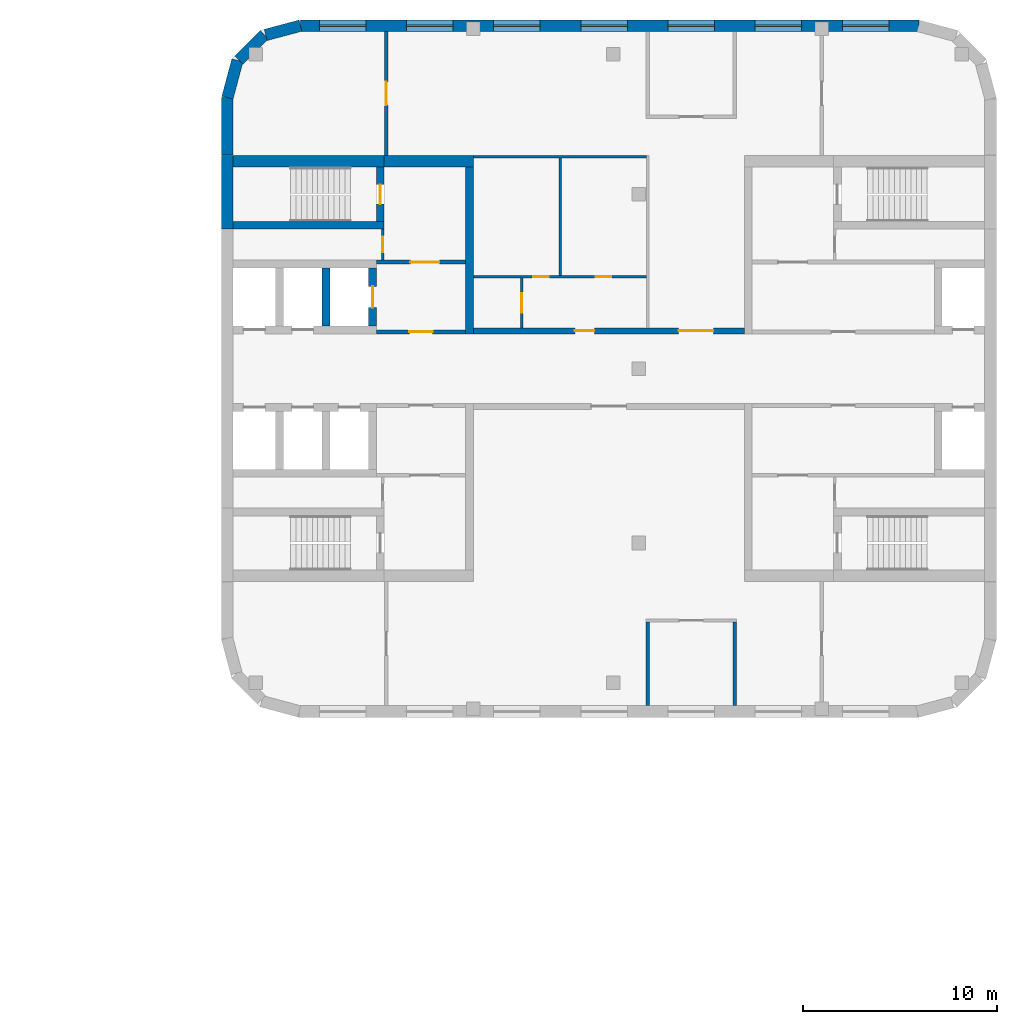
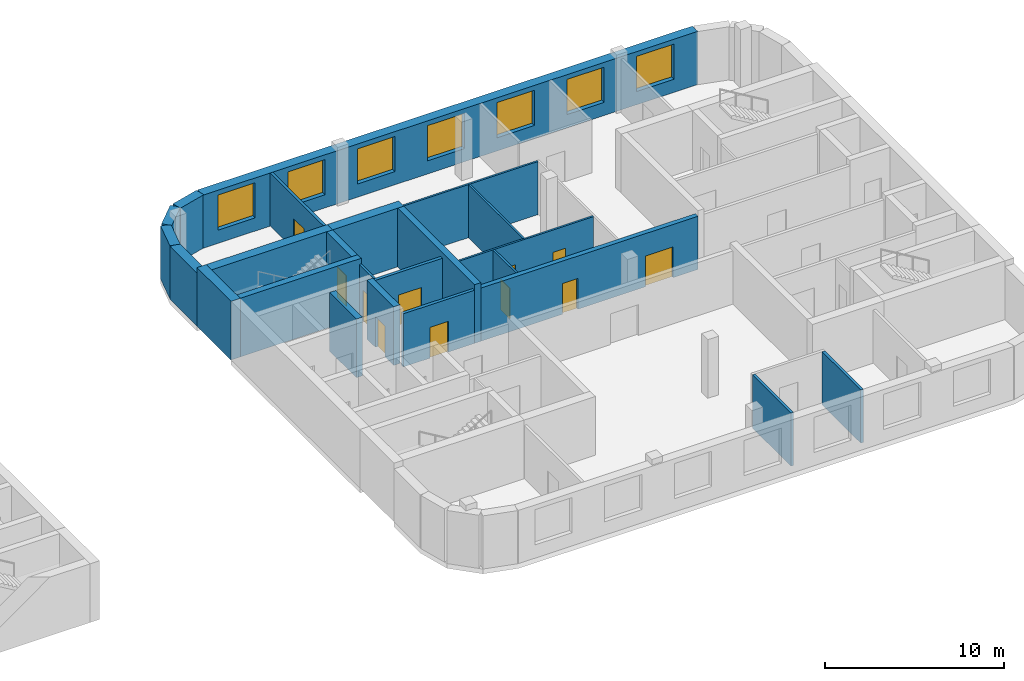
# One storey, part 8 of 12: 24 walls, 11 doors, 7 windows, 18 openings.
"""IFC4 building model written with IfcOpenShell, lengths in metres."""

import ifcopenshell
import ifcopenshell.guid

model = None  # the IFC model being written
_history = None  # IfcOwnerHistory: only IFC2X3 demands one
_inside = {}  # id of a spatial element -> (the spatial element, [elements in it])
_under = {}  # id of a project, library or spatial element -> (it, [spatial elements below it])
_declared = {}  # id of a project -> (the project, [libraries it declares])
_typed = {}  # id of a type object -> (the type object, [elements of that type])
_made_of = {}  # id of a material, layer set ... -> (it, [elements and type objects made of it])


def new_model(schema):
    """Start an empty IFC model of exactly this schema.

    Asked for "IFC4X3", IfcOpenShell would pick the latest addendum, in which some entities
    have other attributes; the version numbers below select the first issue.
    IFC2X3 requires an IfcOwnerHistory on every rooted entity: one is made here for all.
    """
    global model, _history
    if schema == "IFC4X3":
        model = ifcopenshell.file(schema_version=(4, 3, 0, 0))
    else:
        model = ifcopenshell.file(schema=schema)
    _inside.clear()
    _under.clear()
    _declared.clear()
    _typed.clear()
    _made_of.clear()
    _history = None
    if model.schema == "IFC2X3":
        org = make("IfcOrganization", Name="unknown")
        user = make(
            "IfcPersonAndOrganization",
            ThePerson=make("IfcPerson", FamilyName="unknown"),
            TheOrganization=org,
        )
        app = make(
            "IfcApplication",
            ApplicationDeveloper=org,
            Version="unknown",
            ApplicationFullName="unknown",
            ApplicationIdentifier="unknown",
        )
        _history = make(
            "IfcOwnerHistory",
            OwningUser=user,
            OwningApplication=app,
            ChangeAction="ADDED",
            CreationDate=0,
        )
    return model


def make(cls, **values):
    """One entity of the class cls with the attributes given. An attribute that is None is left unset."""
    return model.create_entity(
        cls, **{name: value for name, value in values.items() if value is not None}
    )


def rooted(cls, **values):
    """An entity with a GlobalId (a new one), such as an element, a storey or a relation."""
    return make(cls, GlobalId=ifcopenshell.guid.new(), OwnerHistory=_history, **values)


def si_unit(unit_type, name, prefix=None):
    """IfcSIUnit, for example si_unit("LENGTHUNIT", "METRE", prefix="MILLI")."""
    return make("IfcSIUnit", UnitType=unit_type, Prefix=prefix, Name=name)


def assignment(units):
    """IfcUnitAssignment: the units of a project."""
    return None if units is None else make("IfcUnitAssignment", Units=units)


def point(xyz):
    """IfcCartesianPoint."""
    return None if xyz is None else make("IfcCartesianPoint", Coordinates=xyz)


def direction(xyz):
    """IfcDirection."""
    return None if xyz is None else make("IfcDirection", DirectionRatios=xyz)


def frame(location, z_axis=None, x_axis=None):
    """IfcAxis2Placement3D, a coordinate frame: its origin and axes. An axis left out is left unset."""
    return make(
        "IfcAxis2Placement3D",
        Location=point(location),
        Axis=direction(z_axis),
        RefDirection=direction(x_axis),
    )


def frame_2d(location, x_axis=None):
    """IfcAxis2Placement2D, a coordinate frame in the plane: its origin and x axis."""
    return make(
        "IfcAxis2Placement2D", Location=point(location), RefDirection=direction(x_axis)
    )


def origin():
    """The frame at (0, 0, 0) with its axes left unset."""
    return frame((0.0, 0.0, 0.0))


def place(relative_to, where):
    """IfcLocalPlacement: puts the frame where relative to a parent placement (None: the world)."""
    return make(
        "IfcLocalPlacement", PlacementRelTo=relative_to, RelativePlacement=where
    )


def context(
    kind, dimensions, precision=None, world=None, true_north=None, identifier=None
):
    """IfcGeometricRepresentationContext, for example the 3D "Model" context."""
    return make(
        "IfcGeometricRepresentationContext",
        ContextIdentifier=identifier,
        ContextType=kind,
        CoordinateSpaceDimension=dimensions,
        Precision=precision,
        WorldCoordinateSystem=world,
        TrueNorth=true_north,
    )


def subcontext(parent, identifier, kind, view, scale=None):
    """IfcGeometricRepresentationSubContext, for example "Body" below "Model"."""
    return make(
        "IfcGeometricRepresentationSubContext",
        ContextIdentifier=identifier,
        ContextType=kind,
        ParentContext=parent,
        TargetScale=scale,
        TargetView=view,
    )


def project(units=None, contexts=None):
    """IfcProject with its units and contexts."""
    return rooted(
        "IfcProject",
        Name="project",
        RepresentationContexts=contexts,
        UnitsInContext=assignment(units),
    )


def spatial(cls, under=None, at=None, **own):
    """A site, building, storey or space (cls), placed at a placement, below another one or the project."""
    s = rooted(cls, ObjectPlacement=at, **own)
    if under is not None:
        _under.setdefault(under.id(), (under, []))[1].append(s)
    return s


def profile(cls, at=None, kind="AREA", **sizes):
    """A parametric profile (cls). Its sizes go by their IFC names, for example OverallWidth=200.0."""
    return make(cls, ProfileType=kind, Position=at, **sizes)


def rectangle(**sizes):
    """IfcRectangleProfileDef."""
    return profile("IfcRectangleProfileDef", **sizes)


def extrude(swept, where, along, depth):
    """IfcExtrudedAreaSolid: the profile swept, set in the frame where, extruded along a direction by depth."""
    return make(
        "IfcExtrudedAreaSolid",
        SweptArea=swept,
        Position=where,
        ExtrudedDirection=direction(along),
        Depth=depth,
    )


def shape(context_of_items, identifier, shape_type, items):
    """IfcShapeRepresentation: the items that make up one representation, for example the "Body"."""
    return make(
        "IfcShapeRepresentation",
        ContextOfItems=context_of_items,
        RepresentationIdentifier=identifier,
        RepresentationType=shape_type,
        Items=items,
    )


def material(Name=None, Category=None):
    """IfcMaterial."""
    return make("IfcMaterial", Name=Name, Category=Category)


def layer(
    of_material, thickness, ventilated=None, Name=None, Category=None, Priority=None
):
    """IfcMaterialLayer: one layer of a wall or slab, of a material (None: an air gap)."""
    return make(
        "IfcMaterialLayer",
        Material=of_material,
        LayerThickness=thickness,
        IsVentilated=ventilated,
        Name=Name,
        Category=Category,
        Priority=Priority,
    )


def layer_set(layers, Name=None):
    """IfcMaterialLayerSet."""
    return make("IfcMaterialLayerSet", MaterialLayers=layers, LayerSetName=Name)


def made_of(thing, what):
    """Note that an element or type object is made of a material, layer set ...; save() writes the relation."""
    if what is not None:
        _made_of.setdefault(what.id(), (what, []))[1].append(thing)
    return thing


def type_object(cls, material=None, **own):
    """A type object (cls), such as IfcWallType, which elements share."""
    return made_of(rooted(cls, **own), material)


def element(
    cls,
    number,
    at=None,
    inside=None,
    cuts=None,
    type_object=None,
    material=None,
    context=None,
    identifier="Body",
    shape_type=None,
    held_by="IfcProductDefinitionShape",
    body=None,
    shapes=None,
    **own,
):
    """One element of the class cls, such as IfcWall. Its Tag is "e" and its number.

    at: its placement. inside: the storey or other place that contains it. cuts: it is an
    opening in that element (IfcRelVoidsElement). A single representation is given by context,
    identifier, shape_type and body (its items); several are given by shapes. held_by: the class
    of the entity that holds the representations. save() writes the other relations.
    """
    e = rooted(cls, Tag="e%d" % number, ObjectPlacement=at, **own)
    if body is not None:
        shapes = [shape(context, identifier, shape_type, body)]
    if shapes is not None:
        e.Representation = make(held_by, Representations=shapes)
    if inside is not None:
        _inside.setdefault(inside.id(), (inside, []))[1].append(e)
    if cuts is not None:
        rooted(
            "IfcRelVoidsElement", RelatingBuildingElement=cuts, RelatedOpeningElement=e
        )
    if type_object is not None:
        _typed.setdefault(type_object.id(), (type_object, []))[1].append(e)
    return made_of(e, material)


def fill(opening, filler):
    """IfcRelFillsElement: the door or window that sits in an opening."""
    return rooted(
        "IfcRelFillsElement",
        RelatingOpeningElement=opening,
        RelatedBuildingElement=filler,
    )


def aggregate(whole, parts):
    """IfcRelAggregates: a whole, such as a stair, and the parts it consists of."""
    return rooted("IfcRelAggregates", RelatingObject=whole, RelatedObjects=parts)


def save(model, path):
    """Write the relations noted so far, then the file.

    IfcRelAggregates (storeys below a building ...), IfcRelContainedInSpatialStructure (elements
    in a storey), IfcRelDefinesByType, IfcRelAssociatesMaterial and IfcRelDeclares: one each for
    every whole, place, type object, material and project.
    """
    for whole, parts in _under.values():
        aggregate(whole, parts)
    for where, things in _inside.values():
        rooted(
            "IfcRelContainedInSpatialStructure",
            RelatedElements=things,
            RelatingStructure=where,
        )
    for kind, things in _typed.values():
        rooted("IfcRelDefinesByType", RelatedObjects=things, RelatingType=kind)
    for what, things in _made_of.values():
        rooted("IfcRelAssociatesMaterial", RelatedObjects=things, RelatingMaterial=what)
    for by, libraries in _declared.values():
        rooted("IfcRelDeclares", RelatingContext=by, RelatedDefinitions=libraries)
    model.write(path)


model = new_model("IFC4")

# Units and contexts
model_context = context("Model", 3, precision=1e-05, world=origin(), true_north=direction((0.0, 1.0)))
body_context = subcontext(model_context, "Body", "Model", "MODEL_VIEW")
ifc_project = project(units=[si_unit("LENGTHUNIT", "METRE"), si_unit("AREAUNIT", "SQUARE_METRE"), si_unit("VOLUMEUNIT", "CUBIC_METRE"), si_unit("PLANEANGLEUNIT", "RADIAN"), si_unit("MASSUNIT", "GRAM", prefix="KILO")], contexts=[model_context])

# Site, building, storey
site_placement = place(None, origin())
site = spatial("IfcSite", under=ifc_project, at=site_placement, CompositionType="ELEMENT")
building_placement = place(site_placement, origin())
building = spatial("IfcBuilding", under=site, at=building_placement, Name="Skarvind Civic Tower", CompositionType="ELEMENT")
storey_placement = place(building_placement, frame((0.0, 0.0, 63.5)))
storey = spatial("IfcBuildingStorey", under=building, at=storey_placement, Name="L14", CompositionType="ELEMENT", Elevation=63.5)

# Wall, opening, door
ifc_material_1 = material(Name="Acoustic gypsum board on steel studs", Category="steel")
ifc_layer_1 = layer(ifc_material_1, 0.175048828125)
ifc_layer_set_1 = layer_set([ifc_layer_1], Name="ACOUSTIC MEETING-ROOM PARTITION 175")
wall_type_1 = type_object("IfcWallType", Name="ACOUSTIC MEETING-ROOM PARTITION 175", PredefinedType="PARTITIONING", material=ifc_layer_set_1)
wall_1_placement = place(storey_placement, frame((135.5, 145.39990234375, 0.0), z_axis=(0.0, 0.0, 1.0), x_axis=(0.0, -1.0, 0.0)))
wall_1 = element("IfcWall", 1, at=wall_1_placement, inside=storey, type_object=wall_type_1, Name="Partition 14.002", PredefinedType="PARTITIONING", context=body_context, shape_type="SweptSolid", body=[
    extrude(rectangle(XDim=6.39990234375, YDim=0.175048828125, at=frame_2d((3.199951171875, 0.0))), origin(), (0.0, 0.0, 1.0), 3.625),
])
opening_1_placement = place(wall_1_placement, frame((2.60009765625, 0.0, 0.0)))
opening_1 = element("IfcOpeningElement", 2, at=opening_1_placement, cuts=wall_1, Name="Opening L14-D107", PredefinedType="OPENING", context=body_context, shape_type="SweptSolid", body=[
    extrude(rectangle(XDim=1.199951171875, YDim=2.10009765625, at=frame_2d((0.60009765625, 1.050048828125))), frame((0.0, 0.097412109375, 0.0), z_axis=(0.0, -1.0, 0.0), x_axis=(1.0, 0.0, 0.0)), (0.0, 0.0, 1.0), 0.195068359375),
])
ifc_material_2 = material(Name="Timber door leaf", Category="wood")
door_type_1 = type_object("IfcDoorType", Name="DOOR 1200X2100 DOUBLE TIMBER", OperationType="NOTDEFINED", PredefinedType="DOOR", material=ifc_material_2)
door_1_placement = place(opening_1_placement, origin())
door_1 = element("IfcDoor", 3, at=door_1_placement, inside=storey, type_object=door_type_1, Name="Door L14-D107", OperationType="DOUBLE_DOOR_SINGLE_SWING", OverallHeight=2.10009765625, OverallWidth=1.199951171875, PredefinedType="DOOR", context=body_context, shape_type="SweptSolid", body=[
    extrude(rectangle(XDim=1.199951171875, YDim=2.10009765625, at=frame_2d((0.60009765625, 1.050048828125))), frame((0.0, 0.02490234375, 0.0), z_axis=(0.0, -1.0, 0.0), x_axis=(1.0, 0.0, 0.0)), (0.0, 0.0, 1.0), 0.050048828125),
])
fill(opening_1, door_1)

# Walls
for number, where, z_axis, x_axis, name in (
    (4, (149.0, 110.60009765625, 0.0), (0.0, 0.0, 1.0), (0.0, 1.0, 0.0), "Partition 14.008"),
    (5, (153.5, 114.912109375, 0.0), (0.0, 0.0, 1.0), (0.0, -1.0, 0.0), "Partition 14.012"),
):
    element("IfcWall", number, at=place(storey_placement, frame(where, z_axis=z_axis, x_axis=x_axis)), inside=storey, type_object=wall_type_1, Name=name, PredefinedType="PARTITIONING", context=body_context, shape_type="SweptSolid", body=[
        extrude(rectangle(XDim=4.31201171875, YDim=0.175048828125, at=frame_2d((2.156005859375, 0.0))), origin(), (0.0, 0.0, 1.0), 3.625),
    ])

# Wall, openings, doors
ifc_material_3 = material(Name="Fire-rated gypsum board on steel studs", Category="steel")
ifc_layer_2 = layer(ifc_material_3, 0.300048828125)
ifc_layer_set_2 = layer_set([ifc_layer_2], Name="CORRIDOR WALL 300")
wall_type_2 = type_object("IfcWallType", Name="CORRIDOR WALL 300", PredefinedType="PARTITIONING", material=ifc_layer_set_2)
wall_2_placement = place(storey_placement, frame((140.0, 129.949951171875, 0.0), z_axis=(0.0, 0.0, 1.0), x_axis=(1.0, 0.0, 0.0)))
wall_2 = element("IfcWall", 6, at=wall_2_placement, inside=storey, type_object=wall_type_2, Name="Partition 14.003", PredefinedType="PARTITIONING", context=body_context, shape_type="SweptSolid", body=[
    extrude(rectangle(XDim=14.0, YDim=0.300048828125, at=frame_2d((7.0, 0.0))), origin(), (0.0, 0.0, 1.0), 3.625),
])
opening_2_placement = place(wall_2_placement, frame((5.25, 0.0, 0.0)))
opening_2 = element("IfcOpeningElement", 7, at=opening_2_placement, cuts=wall_2, Name="Opening L14-D101", PredefinedType="OPENING", context=body_context, shape_type="SweptSolid", body=[
    extrude(rectangle(XDim=1.0, YDim=2.10009765625, at=frame_2d((0.5, 1.050048828125))), frame((0.0, 0.159912109375, 0.0), z_axis=(0.0, -1.0, 0.0), x_axis=(1.0, 0.0, 0.0)), (0.0, 0.0, 1.0), 0.320068359375),
])
opening_3_placement = place(wall_2_placement, frame((10.60009765625, 0.0, 0.0)))
opening_3 = element("IfcOpeningElement", 8, at=opening_3_placement, cuts=wall_2, Name="Opening L14-D105", PredefinedType="OPENING", context=body_context, shape_type="SweptSolid", body=[
    extrude(rectangle(XDim=1.800048828125, YDim=2.10009765625, at=frame_2d((0.89990234375, 1.050048828125))), frame((0.0, 0.159912109375, 0.0), z_axis=(0.0, -1.0, 0.0), x_axis=(1.0, 0.0, 0.0)), (0.0, 0.0, 1.0), 0.320068359375),
])
ifc_material_4 = material(Name="Fire-rated timber door leaf", Category="wood")
door_type_2 = type_object("IfcDoorType", Name="FD1 1000x2100", OperationType="NOTDEFINED", PredefinedType="DOOR", material=ifc_material_4)
door_2_placement = place(opening_2_placement, origin())
door_2 = element("IfcDoor", 9, at=door_2_placement, inside=storey, type_object=door_type_2, Name="Door L14-D101", OperationType="SINGLE_SWING_RIGHT", OverallHeight=2.10009765625, OverallWidth=1.0, PredefinedType="DOOR", context=body_context, shape_type="SweptSolid", body=[
    extrude(rectangle(XDim=1.0, YDim=2.10009765625, at=frame_2d((0.5, 1.050048828125))), frame((0.0, 0.02490234375, 0.0), z_axis=(0.0, -1.0, 0.0), x_axis=(1.0, 0.0, 0.0)), (0.0, 0.0, 1.0), 0.050048828125),
])
fill(opening_2, door_2)
door_type_3 = type_object("IfcDoorType", Name="FD4 1800x2100", OperationType="NOTDEFINED", PredefinedType="DOOR", material=ifc_material_4)
door_3_placement = place(opening_3_placement, origin())
door_3 = element("IfcDoor", 10, at=door_3_placement, inside=storey, type_object=door_type_3, Name="Door L14-D105", OperationType="DOUBLE_DOOR_SINGLE_SWING", OverallHeight=2.10009765625, OverallWidth=1.800048828125, PredefinedType="DOOR", context=body_context, shape_type="SweptSolid", body=[
    extrude(rectangle(XDim=1.800048828125, YDim=2.10009765625, at=frame_2d((0.89990234375, 1.050048828125))), frame((0.0, 0.02490234375, 0.0), z_axis=(0.0, -1.0, 0.0), x_axis=(1.0, 0.0, 0.0)), (0.0, 0.0, 1.0), 0.050048828125),
])
fill(opening_3, door_3)

# Wall, opening, door
ifc_material_5 = material(Name="Fire-rated masonry partition", Category="masonry")
ifc_layer_3 = layer(ifc_material_5, 0.199951171875)
ifc_layer_set_3 = layer_set([ifc_layer_3], Name="Core enclosure wall 200")
wall_type_3 = type_object("IfcWallType", Name="Core enclosure wall 200", PredefinedType="PARTITIONING", material=ifc_layer_set_3)
wall_3_placement = place(storey_placement, frame((135.0, 129.89990234375, 0.0), z_axis=(0.0, 0.0, 1.0), x_axis=(1.0, 0.0, 0.0)))
wall_3 = element("IfcWall", 11, at=wall_3_placement, inside=storey, type_object=wall_type_3, Name="Core wall CA", PredefinedType="PARTITIONING", context=body_context, shape_type="SweptSolid", body=[
    extrude(rectangle(XDim=4.60009765625, YDim=0.199951171875, at=frame_2d((2.300048828125, 0.0))), origin(), (0.0, 0.0, 1.0), 3.625),
])
opening_4_placement = place(wall_3_placement, frame((1.699951171875, 0.0, 0.0)))
opening_4 = element("IfcOpeningElement", 12, at=opening_4_placement, cuts=wall_3, Name="Opening D-L14-CA-06", PredefinedType="OPENING", context=body_context, shape_type="SweptSolid", body=[
    extrude(rectangle(XDim=1.199951171875, YDim=2.10009765625, at=frame_2d((0.60009765625, 1.050048828125))), frame((0.0, 0.10986328125, 0.0), z_axis=(0.0, -1.0, 0.0), x_axis=(1.0, 0.0, 0.0)), (0.0, 0.0, 1.0), 0.219970703125),
])
ifc_material_6 = material(Name="Fire-rated steel door", Category="steel")
door_type_4 = type_object("IfcDoorType", Name="Core lobby door 1200", OperationType="NOTDEFINED", PredefinedType="DOOR", material=ifc_material_6)
door_4_placement = place(opening_4_placement, origin())
door_4 = element("IfcDoor", 13, at=door_4_placement, inside=storey, type_object=door_type_4, Name="Fire door", OperationType="DOUBLE_DOOR_SINGLE_SWING", OverallHeight=2.10009765625, OverallWidth=1.199951171875, PredefinedType="DOOR", context=body_context, shape_type="SweptSolid", body=[
    extrude(rectangle(XDim=1.199951171875, YDim=2.10009765625, at=frame_2d((0.60009765625, 1.050048828125))), frame((0.0, 0.02490234375, 0.0), z_axis=(0.0, -1.0, 0.0), x_axis=(1.0, 0.0, 0.0)), (0.0, 0.0, 1.0), 0.050048828125),
])
fill(opening_4, door_4)

wall_4_placement = place(storey_placement, frame((135.0, 133.5, 0.0), z_axis=(0.0, 0.0, 1.0), x_axis=(1.0, 0.0, 0.0)))
wall_4 = element("IfcWall", 14, at=wall_4_placement, inside=storey, type_object=wall_type_3, Name="Core wall CA", PredefinedType="PARTITIONING", context=body_context, shape_type="SweptSolid", body=[
    extrude(rectangle(XDim=4.60009765625, YDim=0.199951171875, at=frame_2d((2.300048828125, 0.0))), origin(), (0.0, 0.0, 1.0), 3.625),
])
opening_5_placement = place(wall_4_placement, frame((1.75, 0.0, 0.0)))
opening_5 = element("IfcOpeningElement", 15, at=opening_5_placement, cuts=wall_4, Name="Opening D-L14-CA-07", PredefinedType="OPENING", context=body_context, shape_type="SweptSolid", body=[
    extrude(rectangle(XDim=1.5, YDim=2.10009765625, at=frame_2d((0.75, 1.050048828125))), frame((0.0, 0.10986328125, 0.0), z_axis=(0.0, -1.0, 0.0), x_axis=(1.0, 0.0, 0.0)), (0.0, 0.0, 1.0), 0.219970703125),
])
door_type_5 = type_object("IfcDoorType", Name="Fire door 1500", OperationType="NOTDEFINED", PredefinedType="DOOR", material=ifc_material_6)
door_5_placement = place(opening_5_placement, origin())
door_5 = element("IfcDoor", 16, at=door_5_placement, inside=storey, type_object=door_type_5, Name="Fire door", OperationType="DOUBLE_DOOR_SINGLE_SWING", OverallHeight=2.10009765625, OverallWidth=1.5, PredefinedType="DOOR", context=body_context, shape_type="SweptSolid", body=[
    extrude(rectangle(XDim=1.5, YDim=2.10009765625, at=frame_2d((0.75, 1.050048828125))), frame((0.0, 0.02490234375, 0.0), z_axis=(0.0, -1.0, 0.0), x_axis=(1.0, 0.0, 0.0)), (0.0, 0.0, 1.0), 0.050048828125),
])
fill(opening_5, door_5)

# Wall
ifc_material_7 = material(Name="Concrete C80", Category="concrete")
ifc_layer_4 = layer(ifc_material_7, 0.39990234375)
ifc_layer_set_4 = layer_set([ifc_layer_4], Name="Core wall 400 C80")
wall_type_4 = type_object("IfcWallType", Name="Core wall 400 C80", PredefinedType="SHEAR", material=ifc_layer_set_4)
wall_5_placement = place(storey_placement, frame((127.60009765625, 135.39990234375, 0.0), z_axis=(0.0, 0.0, 1.0), x_axis=(1.0, 0.0, 0.0)))
element("IfcWall", 17, at=wall_5_placement, inside=storey, type_object=wall_type_4, Name="Core wall CA north stair inner L14", PredefinedType="SHEAR", context=body_context, shape_type="SweptSolid", body=[
    extrude(rectangle(XDim=7.7998046875, YDim=0.39990234375, at=frame_2d((3.89990234375, 0.0))), origin(), (0.0, 0.0, 1.0), 4.0),
])

# Wall, opening, door
wall_6_placement = place(storey_placement, frame((135.199951171875, 135.60009765625, 0.0), z_axis=(0.0, 0.0, 1.0), x_axis=(0.0, 1.0, 0.0)))
wall_6 = element("IfcWall", 18, at=wall_6_placement, inside=storey, type_object=wall_type_4, Name="Core wall CA north stair end L14", PredefinedType="SHEAR", context=body_context, shape_type="SweptSolid", body=[
    extrude(rectangle(XDim=2.7998046875, YDim=0.39990234375, at=frame_2d((1.39990234375, 0.0))), origin(), (0.0, 0.0, 1.0), 4.0),
])
opening_6_placement = place(wall_6_placement, frame((0.89990234375, 0.0, 0.0)))
opening_6 = element("IfcOpeningElement", 19, at=opening_6_placement, cuts=wall_6, Name="Opening D-L14-CA-08", PredefinedType="OPENING", context=body_context, shape_type="SweptSolid", body=[
    extrude(rectangle(XDim=1.0, YDim=2.10009765625, at=frame_2d((0.5, 1.050048828125))), frame((0.0, 0.2099609375, 0.0), z_axis=(0.0, -1.0, 0.0), x_axis=(1.0, 0.0, 0.0)), (0.0, 0.0, 1.0), 0.419921875),
])
door_type_6 = type_object("IfcDoorType", Name="Fire door 1000", OperationType="NOTDEFINED", PredefinedType="DOOR", material=ifc_material_6)
door_6_placement = place(opening_6_placement, origin())
door_6 = element("IfcDoor", 20, at=door_6_placement, inside=storey, type_object=door_type_6, Name="Fire door", OperationType="SINGLE_SWING_LEFT", OverallHeight=2.10009765625, OverallWidth=1.0, PredefinedType="DOOR", context=body_context, shape_type="SweptSolid", body=[
    extrude(rectangle(XDim=1.0, YDim=2.10009765625, at=frame_2d((0.5, 1.050048828125))), frame((0.0, 0.02490234375, 0.0), z_axis=(0.0, -1.0, 0.0), x_axis=(1.0, 0.0, 0.0)), (0.0, 0.0, 1.0), 0.050048828125),
])
fill(opening_6, door_6)

# Wall
wall_7_placement = place(storey_placement, frame((132.39990234375, 130.199951171875, 0.0), z_axis=(0.0, 0.0, 1.0), x_axis=(0.0, 1.0, 0.0)))
element("IfcWall", 21, at=wall_7_placement, inside=storey, type_object=wall_type_4, Name="Core wall CA north lift row division 2 L14", PredefinedType="SHEAR", context=body_context, shape_type="SweptSolid", body=[
    extrude(rectangle(XDim=3.0, YDim=0.39990234375, at=frame_2d((1.5, 0.0))), origin(), (0.0, 0.0, 1.0), 4.0),
])

# Wall, opening, door
wall_8_placement = place(storey_placement, frame((134.800048828125, 130.199951171875, 0.0), z_axis=(0.0, 0.0, 1.0), x_axis=(0.0, 1.0, 0.0)))
wall_8 = element("IfcWall", 22, at=wall_8_placement, inside=storey, type_object=wall_type_4, Name="Core wall CA north lift row division 3 L14", PredefinedType="SHEAR", context=body_context, shape_type="SweptSolid", body=[
    extrude(rectangle(XDim=3.0, YDim=0.39990234375, at=frame_2d((1.5, 0.0))), origin(), (0.0, 0.0, 1.0), 4.0),
])
opening_7_placement = place(wall_8_placement, frame((0.949951171875, 0.0, 0.0)))
opening_7 = element("IfcOpeningElement", 23, at=opening_7_placement, cuts=wall_8, Name="Opening LD16303", PredefinedType="OPENING", context=body_context, shape_type="SweptSolid", body=[
    extrude(rectangle(XDim=1.10009765625, YDim=2.10009765625, at=frame_2d((0.550048828125, 1.050048828125))), frame((0.0, 0.2099609375, 0.0), z_axis=(0.0, -1.0, 0.0), x_axis=(1.0, 0.0, 0.0)), (0.0, 0.0, 1.0), 0.419921875),
])
ifc_material_8 = material(Name="Stainless steel landing door", Category="steel")
door_type_7 = type_object("IfcDoorType", Name="Lift landing door 1100", OperationType="DOUBLE_DOOR_SLIDING", PredefinedType="DOOR", material=ifc_material_8)
door_7_placement = place(opening_7_placement, origin())
door_7 = element("IfcDoor", 24, at=door_7_placement, inside=storey, type_object=door_type_7, Name="Lift landing door", OperationType="DOUBLE_DOOR_SLIDING", OverallHeight=2.10009765625, OverallWidth=1.10009765625, PredefinedType="DOOR", context=body_context, shape_type="SweptSolid", body=[
    extrude(rectangle(XDim=1.10009765625, YDim=2.10009765625, at=frame_2d((0.550048828125, 1.050048828125))), frame((0.0, 0.02490234375, 0.0), z_axis=(0.0, -1.0, 0.0), x_axis=(1.0, 0.0, 0.0)), (0.0, 0.0, 1.0), 0.050048828125),
])
fill(opening_7, door_7)

# Walls
wall_9_placement = place(storey_placement, frame((139.800048828125, 129.800048828125, 0.0), z_axis=(0.0, 0.0, 1.0), x_axis=(0.0, 1.0, 0.0)))
element("IfcWall", 25, at=wall_9_placement, inside=storey, type_object=wall_type_4, Name="Core wall CA north inner face L14", PredefinedType="SHEAR", context=body_context, shape_type="SweptSolid", body=[
    extrude(rectangle(XDim=8.599853515625, YDim=0.39990234375, at=frame_2d((4.2998046875, 0.0))), origin(), (0.0, 0.0, 1.0), 4.0),
])
ifc_layer_5 = layer(ifc_material_7, 0.60009765625)
ifc_layer_set_5 = layer_set([ifc_layer_5], Name="Core wall 600 C80")
wall_type_5 = type_object("IfcWallType", Name="Core wall 600 C80", PredefinedType="SHEAR", material=ifc_layer_set_5)
wall_10_placement = place(storey_placement, frame((127.300048828125, 135.199951171875, 0.0), z_axis=(0.0, 0.0, 1.0), x_axis=(0.0, 1.0, 0.0)))
element("IfcWall", 26, at=wall_10_placement, inside=storey, type_object=wall_type_5, Name="Core wall CA tip at the north stair L14", PredefinedType="SHEAR", context=body_context, shape_type="SweptSolid", body=[
    extrude(rectangle(XDim=3.800048828125, YDim=0.60009765625, at=frame_2d((1.89990234375, 0.0))), origin(), (0.0, 0.0, 1.0), 4.0),
])
wall_11_placement = place(storey_placement, frame((127.60009765625, 138.699951171875, 0.0), z_axis=(0.0, 0.0, 1.0), x_axis=(1.0, 0.0, 0.0)))
element("IfcWall", 27, at=wall_11_placement, inside=storey, type_object=wall_type_5, Name="Core wall CA north side at the stair L14", PredefinedType="SHEAR", context=body_context, shape_type="SweptSolid", body=[
    extrude(rectangle(XDim=7.7998046875, YDim=0.60009765625, at=frame_2d((3.89990234375, 0.0))), origin(), (0.0, 0.0, 1.0), 4.0),
])
wall_12_placement = place(storey_placement, frame((135.39990234375, 138.699951171875, 0.0), z_axis=(0.0, 0.0, 1.0), x_axis=(1.0, 0.0, 0.0)))
element("IfcWall", 28, at=wall_12_placement, inside=storey, type_object=wall_type_5, Name="Core wall CA north side L14", PredefinedType="SHEAR", context=body_context, shape_type="SweptSolid", body=[
    extrude(rectangle(XDim=4.60009765625, YDim=0.60009765625, at=frame_2d((2.300048828125, 0.0))), origin(), (0.0, 0.0, 1.0), 4.0),
])

# Wall, opening, door
ifc_layer_6 = layer(ifc_material_5, 0.125)
ifc_layer_set_6 = layer_set([ifc_layer_6], Name="Riser wall 125")
wall_type_6 = type_object("IfcWallType", Name="Riser wall 125", PredefinedType="PARTITIONING", material=ifc_layer_set_6)
wall_13_placement = place(storey_placement, frame((135.33740234375, 135.199951171875, 0.0), z_axis=(0.0, 0.0, 1.0), x_axis=(0.0, -1.0, 0.0)))
wall_13 = element("IfcWall", 29, at=wall_13_placement, inside=storey, type_object=wall_type_6, Name="Core wall CA", PredefinedType="PARTITIONING", context=body_context, shape_type="SweptSolid", body=[
    extrude(rectangle(XDim=1.599853515625, YDim=0.125, at=frame_2d((0.7998046875, 0.0))), origin(), (0.0, 0.0, 1.0), 3.625),
])
opening_8_placement = place(wall_13_placement, frame((0.39990234375, 0.0, 0.0)))
opening_8 = element("IfcOpeningElement", 30, at=opening_8_placement, cuts=wall_13, Name="Opening D-L14-CA-09", PredefinedType="OPENING", context=body_context, shape_type="SweptSolid", body=[
    extrude(rectangle(XDim=0.800048828125, YDim=2.10009765625, at=frame_2d((0.39990234375, 1.050048828125))), frame((0.0, 0.072509765625, 0.0), z_axis=(0.0, -1.0, 0.0), x_axis=(1.0, 0.0, 0.0)), (0.0, 0.0, 1.0), 0.14501953125),
])
door_type_8 = type_object("IfcDoorType", Name="Core riser door 800", OperationType="NOTDEFINED", PredefinedType="DOOR", material=ifc_material_6)
door_8_placement = place(opening_8_placement, origin())
door_8 = element("IfcDoor", 31, at=door_8_placement, inside=storey, type_object=door_type_8, Name="Riser door", OperationType="SINGLE_SWING_RIGHT", OverallHeight=2.10009765625, OverallWidth=0.800048828125, PredefinedType="DOOR", context=body_context, shape_type="SweptSolid", body=[
    extrude(rectangle(XDim=0.800048828125, YDim=2.10009765625, at=frame_2d((0.39990234375, 1.050048828125))), frame((0.0, 0.02490234375, 0.0), z_axis=(0.0, -1.0, 0.0), x_axis=(1.0, 0.0, 0.0)), (0.0, 0.0, 1.0), 0.050048828125),
])
fill(opening_8, door_8)

# Wall, openings, doors
ifc_material_9 = material(Name="Moisture-resistant gypsum board on steel studs", Category="steel")
ifc_layer_7 = layer(ifc_material_9, 0.125)
ifc_layer_set_7 = layer_set([ifc_layer_7], Name="WC PARTITION 125")
wall_type_7 = type_object("IfcWallType", Name="WC PARTITION 125", PredefinedType="PARTITIONING", material=ifc_layer_set_7)
wall_14_placement = place(storey_placement, frame((140.0, 132.75, 0.0), z_axis=(0.0, 0.0, 1.0), x_axis=(1.0, 0.0, 0.0)))
wall_14 = element("IfcWall", 32, at=wall_14_placement, inside=storey, type_object=wall_type_7, Name="Partition 14.004", PredefinedType="PARTITIONING", context=body_context, shape_type="SweptSolid", body=[
    extrude(rectangle(XDim=8.93798828125, YDim=0.125, at=frame_2d((4.468994140625, 0.0))), origin(), (0.0, 0.0, 1.0), 3.625),
])
opening_9_placement = place(wall_14_placement, frame((6.3291015625, 0.0, 0.0)))
opening_9 = element("IfcOpeningElement", 33, at=opening_9_placement, cuts=wall_14, Name="Opening L14-D103", PredefinedType="OPENING", context=body_context, shape_type="SweptSolid", body=[
    extrude(rectangle(XDim=0.800048828125, YDim=2.10009765625, at=frame_2d((0.39990234375, 1.050048828125))), frame((0.0, 0.072509765625, 0.0), z_axis=(0.0, -1.0, 0.0), x_axis=(1.0, 0.0, 0.0)), (0.0, 0.0, 1.0), 0.14501953125),
])
opening_10_placement = place(wall_14_placement, frame((3.10009765625, 0.0, 0.0)))
opening_10 = element("IfcOpeningElement", 34, at=opening_10_placement, cuts=wall_14, Name="Opening L14-D104", PredefinedType="OPENING", context=body_context, shape_type="SweptSolid", body=[
    extrude(rectangle(XDim=0.800048828125, YDim=2.10009765625, at=frame_2d((0.39990234375, 1.050048828125))), frame((0.0, 0.072509765625, 0.0), z_axis=(0.0, -1.0, 0.0), x_axis=(1.0, 0.0, 0.0)), (0.0, 0.0, 1.0), 0.14501953125),
])
door_type_9 = type_object("IfcDoorType", Name="DOOR 800X2100 TIMBER", OperationType="NOTDEFINED", PredefinedType="DOOR", material=ifc_material_2)
door_9_placement = place(opening_9_placement, origin())
door_9 = element("IfcDoor", 35, at=door_9_placement, inside=storey, type_object=door_type_9, Name="Door L14-D103", OperationType="SINGLE_SWING_RIGHT", OverallHeight=2.10009765625, OverallWidth=0.800048828125, PredefinedType="DOOR", context=body_context, shape_type="SweptSolid", body=[
    extrude(rectangle(XDim=0.800048828125, YDim=2.10009765625, at=frame_2d((0.39990234375, 1.050048828125))), frame((0.0, 0.02490234375, 0.0), z_axis=(0.0, -1.0, 0.0), x_axis=(1.0, 0.0, 0.0)), (0.0, 0.0, 1.0), 0.050048828125),
])
fill(opening_9, door_9)
door_10_placement = place(opening_10_placement, origin())
door_10 = element("IfcDoor", 36, at=door_10_placement, inside=storey, type_object=door_type_9, Name="Door L14-D104", OperationType="SINGLE_SWING_LEFT", OverallHeight=2.10009765625, OverallWidth=0.800048828125, PredefinedType="DOOR", context=body_context, shape_type="SweptSolid", body=[
    extrude(rectangle(XDim=0.800048828125, YDim=2.10009765625, at=frame_2d((0.39990234375, 1.050048828125))), frame((0.0, 0.02490234375, 0.0), z_axis=(0.0, -1.0, 0.0), x_axis=(1.0, 0.0, 0.0)), (0.0, 0.0, 1.0), 0.050048828125),
])
fill(opening_10, door_10)

# Wall
wall_15_placement = place(storey_placement, frame((140.0, 138.949951171875, 0.0), z_axis=(0.0, 0.0, 1.0), x_axis=(1.0, 0.0, 0.0)))
element("IfcWall", 37, at=wall_15_placement, inside=storey, type_object=wall_type_7, Name="Partition 14.005", PredefinedType="PARTITIONING", context=body_context, shape_type="SweptSolid", body=[
    extrude(rectangle(XDim=8.93798828125, YDim=0.125, at=frame_2d((4.468994140625, 0.0))), origin(), (0.0, 0.0, 1.0), 3.625),
])

# Wall, opening, door
wall_16_placement = place(storey_placement, frame((142.5, 130.10009765625, 0.0), z_axis=(0.0, 0.0, 1.0), x_axis=(0.0, 1.0, 0.0)))
wall_16 = element("IfcWall", 38, at=wall_16_placement, inside=storey, type_object=wall_type_7, Name="Partition 14.006", PredefinedType="PARTITIONING", context=body_context, shape_type="SweptSolid", body=[
    extrude(rectangle(XDim=2.587890625, YDim=0.125, at=frame_2d((1.2939453125, 0.0))), origin(), (0.0, 0.0, 1.0), 3.625),
])
opening_11_placement = place(wall_16_placement, frame((0.7939453125, 0.0, 0.0)))
opening_11 = element("IfcOpeningElement", 39, at=opening_11_placement, cuts=wall_16, Name="Opening L14-D102", PredefinedType="OPENING", context=body_context, shape_type="SweptSolid", body=[
    extrude(rectangle(XDim=1.0, YDim=2.10009765625, at=frame_2d((0.5, 1.050048828125))), frame((0.0, 0.072509765625, 0.0), z_axis=(0.0, -1.0, 0.0), x_axis=(1.0, 0.0, 0.0)), (0.0, 0.0, 1.0), 0.14501953125),
])
door_type_10 = type_object("IfcDoorType", Name="D1 1000x2100", OperationType="NOTDEFINED", PredefinedType="DOOR", material=ifc_material_2)
door_11_placement = place(opening_11_placement, origin())
door_11 = element("IfcDoor", 40, at=door_11_placement, inside=storey, type_object=door_type_10, Name="Door L14-D102", OperationType="SINGLE_SWING_RIGHT", OverallHeight=2.10009765625, OverallWidth=1.0, PredefinedType="DOOR", context=body_context, shape_type="SweptSolid", body=[
    extrude(rectangle(XDim=1.0, YDim=2.10009765625, at=frame_2d((0.5, 1.050048828125))), frame((0.0, 0.02490234375, 0.0), z_axis=(0.0, -1.0, 0.0), x_axis=(1.0, 0.0, 0.0)), (0.0, 0.0, 1.0), 0.050048828125),
])
fill(opening_11, door_11)

# Wall
wall_17_placement = place(storey_placement, frame((144.5, 138.887939453125, 0.0), z_axis=(0.0, 0.0, 1.0), x_axis=(0.0, -1.0, 0.0)))
element("IfcWall", 41, at=wall_17_placement, inside=storey, type_object=wall_type_7, Name="Partition 14.007", PredefinedType="PARTITIONING", context=body_context, shape_type="SweptSolid", body=[
    extrude(rectangle(XDim=6.075927734375, YDim=0.125, at=frame_2d((3.0380859375, 0.0))), origin(), (0.0, 0.0, 1.0), 3.625),
])

# Wall, openings, windows
ifc_material_10 = material(Name="Limestone masonry cladding on insulated backing", Category="masonry")
ifc_layer_8 = layer(ifc_material_10, 0.60009765625)
ifc_layer_set_8 = layer_set([ifc_layer_8], Name="WX1 STONE FACADE WALL 600")
wall_type_8 = type_object("IfcWallType", Name="WX1 STONE FACADE WALL 600", PredefinedType="SOLIDWALL", material=ifc_layer_set_8)
wall_18_placement = place(storey_placement, frame((131.070068359375, 145.699951171875, 0.0), z_axis=(0.0, 0.0, 1.0), x_axis=(1.0, 0.0, 0.0)))
wall_18 = element("IfcWall", 42, at=wall_18_placement, inside=storey, type_object=wall_type_8, Name="STONE FACADE WALL", PredefinedType="SOLIDWALL", context=body_context, shape_type="SweptSolid", body=[
    extrude(rectangle(XDim=31.929931640625, YDim=0.60009765625, at=frame_2d((15.96484375, 0.0))), origin(), (0.0, 0.0, 1.0), 3.625),
])
opening_12_placement = place(wall_18_placement, frame((0.97998046875, 0.0, 0.89990234375)))
opening_12 = element("IfcOpeningElement", 43, at=opening_12_placement, cuts=wall_18, Name="Opening WN9", PredefinedType="OPENING", context=body_context, shape_type="SweptSolid", body=[
    extrude(rectangle(XDim=2.39990234375, YDim=2.39990234375, at=frame_2d((1.199951171875, 1.199951171875))), frame((0.0, 0.31005859375, 0.0), z_axis=(0.0, -1.0, 0.0), x_axis=(1.0, 0.0, 0.0)), (0.0, 0.0, 1.0), 0.6201171875),
])
opening_13_placement = place(wall_18_placement, frame((5.47998046875, 0.0, 0.89990234375)))
opening_13 = element("IfcOpeningElement", 44, at=opening_13_placement, cuts=wall_18, Name="Opening WN9", PredefinedType="OPENING", context=body_context, shape_type="SweptSolid", body=[
    extrude(rectangle(XDim=2.39990234375, YDim=2.39990234375, at=frame_2d((1.199951171875, 1.199951171875))), frame((0.0, 0.31005859375, 0.0), z_axis=(0.0, -1.0, 0.0), x_axis=(1.0, 0.0, 0.0)), (0.0, 0.0, 1.0), 0.6201171875),
])
opening_14_placement = place(wall_18_placement, frame((9.97998046875, 0.0, 0.89990234375)))
opening_14 = element("IfcOpeningElement", 45, at=opening_14_placement, cuts=wall_18, Name="Opening WN9", PredefinedType="OPENING", context=body_context, shape_type="SweptSolid", body=[
    extrude(rectangle(XDim=2.39990234375, YDim=2.39990234375, at=frame_2d((1.199951171875, 1.199951171875))), frame((0.0, 0.31005859375, 0.0), z_axis=(0.0, -1.0, 0.0), x_axis=(1.0, 0.0, 0.0)), (0.0, 0.0, 1.0), 0.6201171875),
])
opening_15_placement = place(wall_18_placement, frame((14.47998046875, 0.0, 0.89990234375)))
opening_15 = element("IfcOpeningElement", 46, at=opening_15_placement, cuts=wall_18, Name="Opening WN9", PredefinedType="OPENING", context=body_context, shape_type="SweptSolid", body=[
    extrude(rectangle(XDim=2.39990234375, YDim=2.39990234375, at=frame_2d((1.199951171875, 1.199951171875))), frame((0.0, 0.31005859375, 0.0), z_axis=(0.0, -1.0, 0.0), x_axis=(1.0, 0.0, 0.0)), (0.0, 0.0, 1.0), 0.6201171875),
])
opening_16_placement = place(wall_18_placement, frame((18.97998046875, 0.0, 0.89990234375)))
opening_16 = element("IfcOpeningElement", 47, at=opening_16_placement, cuts=wall_18, Name="Opening WN9", PredefinedType="OPENING", context=body_context, shape_type="SweptSolid", body=[
    extrude(rectangle(XDim=2.39990234375, YDim=2.39990234375, at=frame_2d((1.199951171875, 1.199951171875))), frame((0.0, 0.31005859375, 0.0), z_axis=(0.0, -1.0, 0.0), x_axis=(1.0, 0.0, 0.0)), (0.0, 0.0, 1.0), 0.6201171875),
])
opening_17_placement = place(wall_18_placement, frame((23.47998046875, 0.0, 0.89990234375)))
opening_17 = element("IfcOpeningElement", 48, at=opening_17_placement, cuts=wall_18, Name="Opening WN9", PredefinedType="OPENING", context=body_context, shape_type="SweptSolid", body=[
    extrude(rectangle(XDim=2.39990234375, YDim=2.39990234375, at=frame_2d((1.199951171875, 1.199951171875))), frame((0.0, 0.31005859375, 0.0), z_axis=(0.0, -1.0, 0.0), x_axis=(1.0, 0.0, 0.0)), (0.0, 0.0, 1.0), 0.6201171875),
])
opening_18_placement = place(wall_18_placement, frame((27.97998046875, 0.0, 0.89990234375)))
opening_18 = element("IfcOpeningElement", 49, at=opening_18_placement, cuts=wall_18, Name="Opening WN9", PredefinedType="OPENING", context=body_context, shape_type="SweptSolid", body=[
    extrude(rectangle(XDim=2.39990234375, YDim=2.39990234375, at=frame_2d((1.199951171875, 1.199951171875))), frame((0.0, 0.31005859375, 0.0), z_axis=(0.0, -1.0, 0.0), x_axis=(1.0, 0.0, 0.0)), (0.0, 0.0, 1.0), 0.6201171875),
])
ifc_material_11 = material(Name="Timber frame, double glazing, timber-lined reveal", Category="wood")
window_type = type_object("IfcWindowType", Name="WN9 COMPANION TOWER WINDOW 2400 x 2400", PartitioningType="SINGLE_PANEL", PredefinedType="WINDOW", material=ifc_material_11)
window_1_placement = place(opening_12_placement, origin())
window_1 = element("IfcWindow", 50, at=window_1_placement, inside=storey, type_object=window_type, Name="WN9 WINDOW", OverallHeight=2.39990234375, OverallWidth=2.39990234375, PartitioningType="SINGLE_PANEL", PredefinedType="WINDOW", context=body_context, shape_type="SweptSolid", body=[
    extrude(rectangle(XDim=2.39990234375, YDim=2.39990234375, at=frame_2d((1.199951171875, 1.199951171875))), frame((0.0, 0.030029296875, 0.0), z_axis=(0.0, -1.0, 0.0), x_axis=(1.0, 0.0, 0.0)), (0.0, 0.0, 1.0), 0.06005859375),
])
fill(opening_12, window_1)
window_2_placement = place(opening_13_placement, origin())
window_2 = element("IfcWindow", 51, at=window_2_placement, inside=storey, type_object=window_type, Name="WN9 WINDOW", OverallHeight=2.39990234375, OverallWidth=2.39990234375, PartitioningType="SINGLE_PANEL", PredefinedType="WINDOW", context=body_context, shape_type="SweptSolid", body=[
    extrude(rectangle(XDim=2.39990234375, YDim=2.39990234375, at=frame_2d((1.199951171875, 1.199951171875))), frame((0.0, 0.030029296875, 0.0), z_axis=(0.0, -1.0, 0.0), x_axis=(1.0, 0.0, 0.0)), (0.0, 0.0, 1.0), 0.06005859375),
])
fill(opening_13, window_2)
window_3_placement = place(opening_14_placement, origin())
window_3 = element("IfcWindow", 52, at=window_3_placement, inside=storey, type_object=window_type, Name="WN9 WINDOW", OverallHeight=2.39990234375, OverallWidth=2.39990234375, PartitioningType="SINGLE_PANEL", PredefinedType="WINDOW", context=body_context, shape_type="SweptSolid", body=[
    extrude(rectangle(XDim=2.39990234375, YDim=2.39990234375, at=frame_2d((1.199951171875, 1.199951171875))), frame((0.0, 0.030029296875, 0.0), z_axis=(0.0, -1.0, 0.0), x_axis=(1.0, 0.0, 0.0)), (0.0, 0.0, 1.0), 0.06005859375),
])
fill(opening_14, window_3)
window_4_placement = place(opening_15_placement, origin())
window_4 = element("IfcWindow", 53, at=window_4_placement, inside=storey, type_object=window_type, Name="WN9 WINDOW", OverallHeight=2.39990234375, OverallWidth=2.39990234375, PartitioningType="SINGLE_PANEL", PredefinedType="WINDOW", context=body_context, shape_type="SweptSolid", body=[
    extrude(rectangle(XDim=2.39990234375, YDim=2.39990234375, at=frame_2d((1.199951171875, 1.199951171875))), frame((0.0, 0.030029296875, 0.0), z_axis=(0.0, -1.0, 0.0), x_axis=(1.0, 0.0, 0.0)), (0.0, 0.0, 1.0), 0.06005859375),
])
fill(opening_15, window_4)
window_5_placement = place(opening_16_placement, origin())
window_5 = element("IfcWindow", 54, at=window_5_placement, inside=storey, type_object=window_type, Name="WN9 WINDOW", OverallHeight=2.39990234375, OverallWidth=2.39990234375, PartitioningType="SINGLE_PANEL", PredefinedType="WINDOW", context=body_context, shape_type="SweptSolid", body=[
    extrude(rectangle(XDim=2.39990234375, YDim=2.39990234375, at=frame_2d((1.199951171875, 1.199951171875))), frame((0.0, 0.030029296875, 0.0), z_axis=(0.0, -1.0, 0.0), x_axis=(1.0, 0.0, 0.0)), (0.0, 0.0, 1.0), 0.06005859375),
])
fill(opening_16, window_5)
window_6_placement = place(opening_17_placement, origin())
window_6 = element("IfcWindow", 55, at=window_6_placement, inside=storey, type_object=window_type, Name="WN9 WINDOW", OverallHeight=2.39990234375, OverallWidth=2.39990234375, PartitioningType="SINGLE_PANEL", PredefinedType="WINDOW", context=body_context, shape_type="SweptSolid", body=[
    extrude(rectangle(XDim=2.39990234375, YDim=2.39990234375, at=frame_2d((1.199951171875, 1.199951171875))), frame((0.0, 0.030029296875, 0.0), z_axis=(0.0, -1.0, 0.0), x_axis=(1.0, 0.0, 0.0)), (0.0, 0.0, 1.0), 0.06005859375),
])
fill(opening_17, window_6)
window_7_placement = place(opening_18_placement, origin())
window_7 = element("IfcWindow", 56, at=window_7_placement, inside=storey, type_object=window_type, Name="WN9 WINDOW", OverallHeight=2.39990234375, OverallWidth=2.39990234375, PartitioningType="SINGLE_PANEL", PredefinedType="WINDOW", context=body_context, shape_type="SweptSolid", body=[
    extrude(rectangle(XDim=2.39990234375, YDim=2.39990234375, at=frame_2d((1.199951171875, 1.199951171875))), frame((0.0, 0.030029296875, 0.0), z_axis=(0.0, -1.0, 0.0), x_axis=(1.0, 0.0, 0.0)), (0.0, 0.0, 1.0), 0.06005859375),
])
fill(opening_18, window_7)

# Walls
for number, where, z_axis, x_axis, name in (
    (57, (129.280517578125, 145.228759765625, 0.0), (0.0, 0.0, 1.0), (0.965938094805, 0.258773254036, 0.0), "STONE FACADE WALL"),
    (58, (127.896484375, 143.936279296875, 0.0), (0.0, 0.0, 1.0), (0.707106781187, 0.707106781187, 0.0), "STONE FACADE WALL"),
):
    element("IfcWall", number, at=place(storey_placement, frame(where, z_axis=z_axis, x_axis=x_axis)), inside=storey, type_object=wall_type_8, Name=name, PredefinedType="SOLIDWALL", context=body_context, shape_type="SweptSolid", body=[
        extrude(rectangle(XDim=1.860595703125, YDim=0.60009765625, at=frame_2d((0.93017578125, 0.0))), origin(), (0.0, 0.0, 1.0), 3.625),
    ])
wall_19_placement = place(storey_placement, frame((127.307861328125, 141.989990234375, 0.0), z_axis=(0.0, 0.0, 1.0), x_axis=(0.258839784042, 0.965920269068, 0.0)))
element("IfcWall", 59, at=wall_19_placement, inside=storey, type_object=wall_type_8, Name="STONE FACADE WALL", PredefinedType="SOLIDWALL", context=body_context, shape_type="SweptSolid", body=[
    extrude(rectangle(XDim=2.00048828125, YDim=0.60009765625, at=frame_2d((1.000244140625, 0.0))), origin(), (0.0, 0.0, 1.0), 3.625),
])
wall_20_placement = place(storey_placement, frame((127.300048828125, 139.02001953125, 0.0), z_axis=(0.0, 0.0, 1.0), x_axis=(0.0, 1.0, 0.0)))
element("IfcWall", 60, at=wall_20_placement, inside=storey, type_object=wall_type_8, Name="STONE FACADE WALL", PredefinedType="SOLIDWALL", context=body_context, shape_type="SweptSolid", body=[
    extrude(rectangle(XDim=2.97998046875, YDim=0.60009765625, at=frame_2d((1.489990234375, 0.0))), origin(), (0.0, 0.0, 1.0), 3.625),
])

save(model, "model.ifc")
